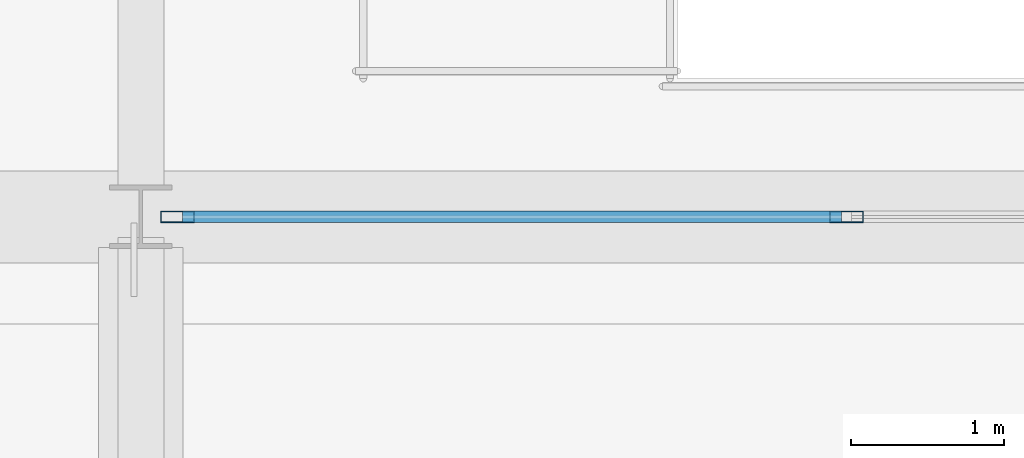
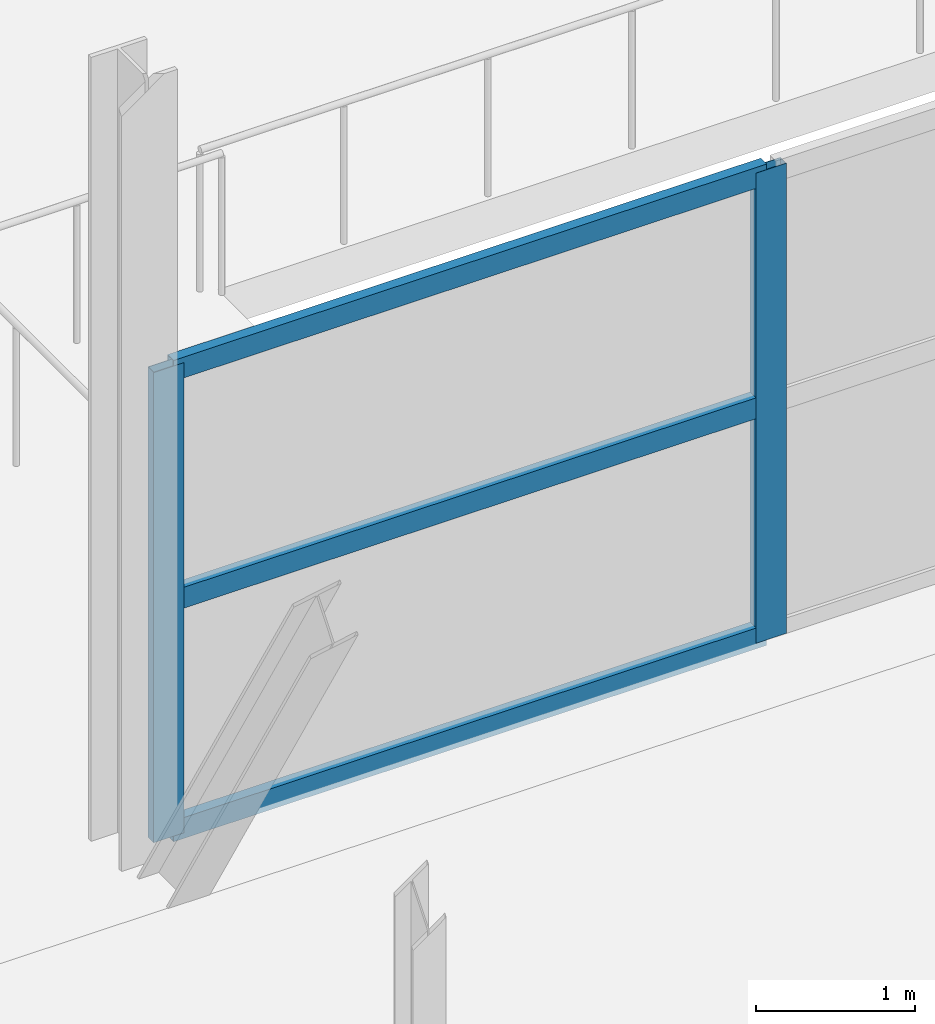
# One storey, part 105 of 191: 5 members, 1 element without a shape of its own.
"""IFC4 building model written with IfcOpenShell, lengths in metres."""

from ifc_helpers import new_model, si_unit, direction, frame, origin, origin_2d, place, context, subcontext, project, spatial, hollow_rectangle, extrude, material, layer, layer_set, material_profile, profile_set, type_object, element, aggregate, save


model = new_model("IFC4")

# Units and contexts
model_context = context("Model", 3, precision=1e-05, world=origin(), true_north=direction((0.0, 1.0)))
body_context = subcontext(model_context, "Body", "Model", "MODEL_VIEW")
ifc_project = project(units=[si_unit("LENGTHUNIT", "METRE"), si_unit("AREAUNIT", "SQUARE_METRE"), si_unit("VOLUMEUNIT", "CUBIC_METRE"), si_unit("PLANEANGLEUNIT", "RADIAN"), si_unit("MASSUNIT", "GRAM", prefix="KILO")], contexts=[model_context])

# Site, building, storey
site_placement = place(None, origin())
site = spatial("IfcSite", under=ifc_project, at=site_placement, CompositionType="ELEMENT")
building_placement = place(site_placement, origin())
building = spatial("IfcBuilding", under=site, at=building_placement, Name="Tamarisk Ironworks Central Station", CompositionType="ELEMENT")
storey_placement = place(building_placement, frame((0.0, 0.0, 6.60009765625)))
storey = spatial("IfcBuildingStorey", under=building, at=storey_placement, Name="L01", CompositionType="ELEMENT", Elevation=6.60009765625)

# Curtain wall, members
ifc_material = material(Name="Anodized aluminium alloy 6063-T6", Category="aluminium")
ifc_layer = layer(ifc_material, 0.179931640625)
ifc_layer_set = layer_set([ifc_layer], Name="Anodized aluminium alloy 6063-T6")
curtain_wall_type = type_object("IfcCurtainWallType", Name="CW-24", PredefinedType="USERDEFINED", material=ifc_layer_set)
curtain_wall_placement = place(storey_placement, origin())
curtain_wall = element("IfcCurtainWall", 1, at=curtain_wall_placement, inside=storey, type_object=curtain_wall_type, Name="North bridge east glazed acoustic screen", ObjectType="GLAZED CURTAIN WALL", PredefinedType="USERDEFINED")
ifc_material_profile_1 = material_profile(ifc_material, hollow_rectangle(XDim=0.074951171875, YDim=0.219970703125, WallThickness=0.00390625, at=origin_2d()), Name="ALUM 220x75")
ifc_profile_set_1 = profile_set([ifc_material_profile_1], Name="Anodized aluminium alloy 6063-T6")
member_type_1 = type_object("IfcMemberType", Name="CWM-01", PredefinedType="MULLION", material=ifc_profile_set_1)
member_1_placement = place(storey_placement, frame((90.238525390625, 79.199951171875, 0.0), z_axis=(0.0, 0.0, 1.0), x_axis=(0.0, 1.0, 0.0)))
member_1 = element("IfcMember", 2, at=member_1_placement, type_object=member_type_1, Name="CW24 mullion 1", PredefinedType="MULLION", context=body_context, shape_type="SweptSolid", body=[
    extrude(hollow_rectangle(XDim=0.074951171875, YDim=0.219970703125, WallThickness=0.00390625, at=origin_2d()), origin(), (0.0, 0.0, 1.0), 3.599853515625),
])
member_2_placement = place(storey_placement, frame((94.6005859375, 79.199951171875, 0.0), z_axis=(0.0, 0.0, 1.0), x_axis=(0.0, 1.0, 0.0)))
member_2 = element("IfcMember", 3, at=member_2_placement, type_object=member_type_1, Name="CW24 mullion 2", PredefinedType="MULLION", context=body_context, shape_type="SweptSolid", body=[
    extrude(hollow_rectangle(XDim=0.074951171875, YDim=0.219970703125, WallThickness=0.00390625, at=origin_2d()), origin(), (0.0, 0.0, 1.0), 3.599853515625),
])
ifc_material_profile_2 = material_profile(ifc_material, hollow_rectangle(XDim=0.074951171875, YDim=0.159912109375, WallThickness=0.00390625, at=origin_2d()), Name="ALUM 160x75")
ifc_profile_set_2 = profile_set([ifc_material_profile_2], Name="Anodized aluminium alloy 6063-T6")
member_type_2 = type_object("IfcMemberType", Name="CWT-01", PredefinedType="USERDEFINED", material=ifc_profile_set_2)
member_3_placement = place(storey_placement, frame((90.27197265625, 79.199951171875, 0.037353515625), z_axis=(1.0, 0.0, 0.0), x_axis=(0.0, 1.0, 0.0)))
member_3 = element("IfcMember", 4, at=member_3_placement, type_object=member_type_2, Name="CW24 transom 1.1", ObjectType="TRANSOM", PredefinedType="USERDEFINED", context=body_context, shape_type="SweptSolid", body=[
    extrude(hollow_rectangle(XDim=0.074951171875, YDim=0.159912109375, WallThickness=0.00390625, at=origin_2d()), origin(), (0.0, 0.0, 1.0), 4.294921875),
])
member_4_placement = place(storey_placement, frame((90.27197265625, 79.199951171875, 1.7998046875), z_axis=(1.0, 0.0, 0.0), x_axis=(0.0, 1.0, 0.0)))
member_4 = element("IfcMember", 5, at=member_4_placement, type_object=member_type_2, Name="CW24 transom 1.2", ObjectType="TRANSOM", PredefinedType="USERDEFINED", context=body_context, shape_type="SweptSolid", body=[
    extrude(hollow_rectangle(XDim=0.074951171875, YDim=0.159912109375, WallThickness=0.00390625, at=origin_2d()), origin(), (0.0, 0.0, 1.0), 4.294921875),
])
member_5_placement = place(storey_placement, frame((90.27197265625, 79.199951171875, 3.5625), z_axis=(1.0, 0.0, 0.0), x_axis=(0.0, 1.0, 0.0)))
member_5 = element("IfcMember", 6, at=member_5_placement, type_object=member_type_2, Name="CW24 transom 1.3", ObjectType="TRANSOM", PredefinedType="USERDEFINED", context=body_context, shape_type="SweptSolid", body=[
    extrude(hollow_rectangle(XDim=0.074951171875, YDim=0.159912109375, WallThickness=0.00390625, at=origin_2d()), origin(), (0.0, 0.0, 1.0), 4.294921875),
])
aggregate(curtain_wall, [member_1, member_2, member_3, member_4, member_5])

save(model, "model.ifc")
